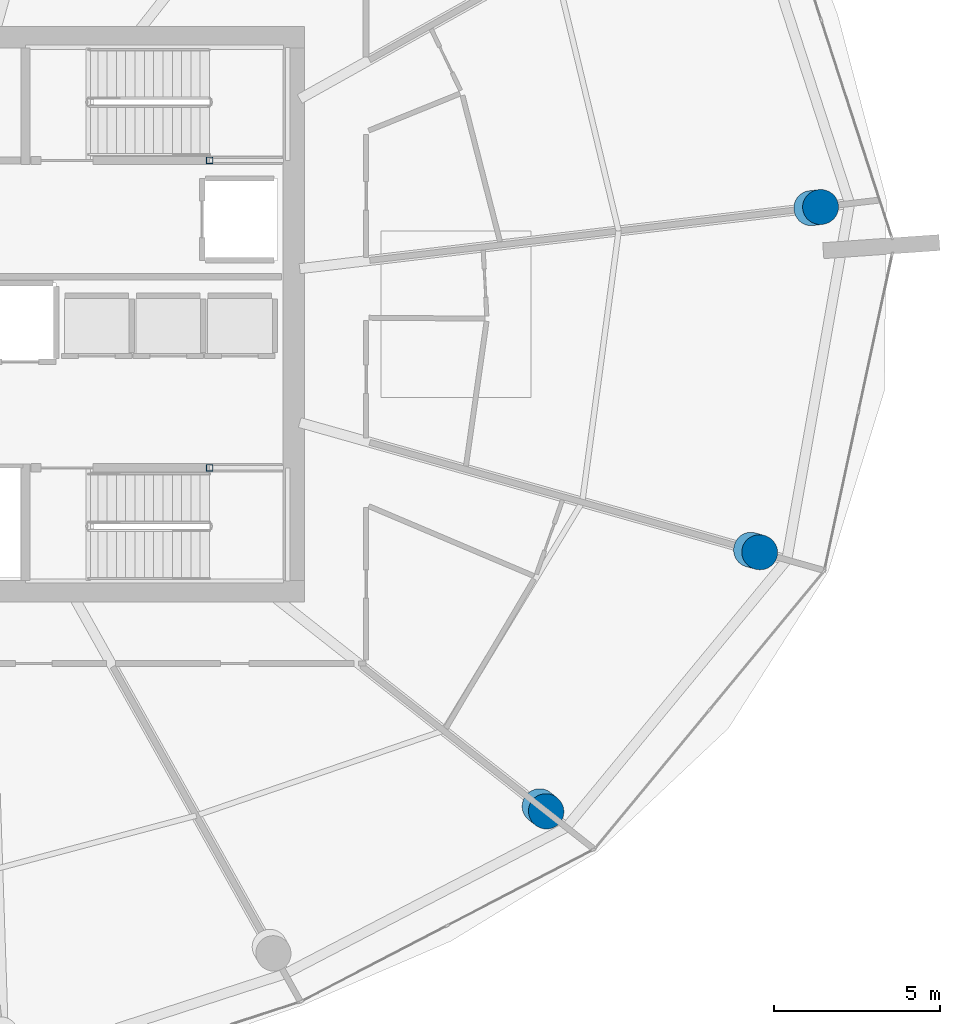
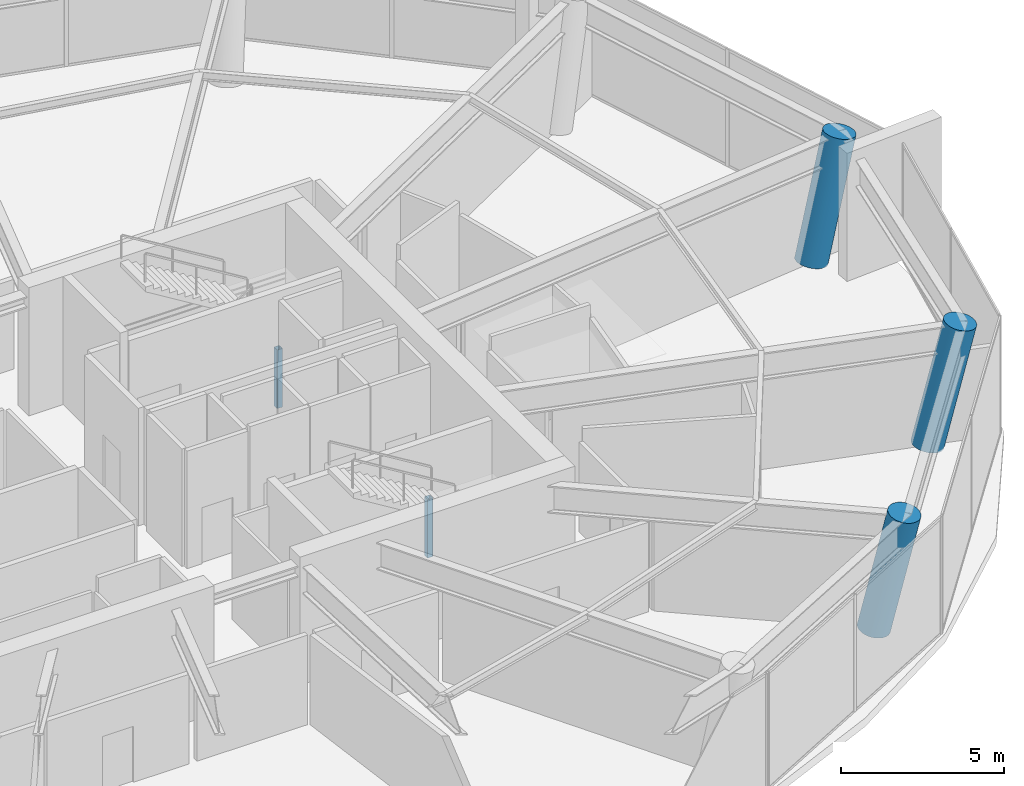
# One storey, part 3 of 22: 5 columns.
"""IFC4 building model written with IfcOpenShell, lengths in metres."""

from ifc_helpers import new_model, si_unit, direction, frame, origin, origin_2d, place, context, subcontext, project, spatial, hollow_rectangle, circle, extrude, material, material_profile, profile_set, type_object, element, save


model = new_model("IFC4")

# Units and contexts
model_context = context("Model", 3, precision=1e-05, world=origin(), true_north=direction((0.0, 1.0)))
body_context = subcontext(model_context, "Body", "Model", "MODEL_VIEW")
ifc_project = project(units=[si_unit("LENGTHUNIT", "METRE"), si_unit("AREAUNIT", "SQUARE_METRE"), si_unit("VOLUMEUNIT", "CUBIC_METRE"), si_unit("PLANEANGLEUNIT", "RADIAN"), si_unit("MASSUNIT", "GRAM", prefix="KILO")], contexts=[model_context])

# Site, building, storey
site_placement = place(None, origin())
site = spatial("IfcSite", under=ifc_project, at=site_placement, CompositionType="ELEMENT")
building_placement = place(site_placement, origin())
building = spatial("IfcBuilding", under=site, at=building_placement, Name="Kazma Halo Residences", CompositionType="ELEMENT")
storey_placement = place(building_placement, frame((0.0, 0.0, 231.89990234375)))
storey = spatial("IfcBuildingStorey", under=building, at=storey_placement, Name="L58", CompositionType="ELEMENT", Elevation=231.89990234375)

# Columns
ifc_material_1 = material(Name="Steel S355", Category="steel")
ifc_material_profile_1 = material_profile(ifc_material_1, hollow_rectangle(XDim=0.199951171875, YDim=0.199951171875, WallThickness=0.010009765625, InnerFilletRadius=0.010009765625, OuterFilletRadius=0.02001953125, at=origin_2d()), Name="SHS200x200x10")
ifc_profile_set_1 = profile_set([ifc_material_profile_1], Name="Steel S355")
column_type_1 = type_object("IfcColumnType", Name="COL-LP-SHS200", PredefinedType="COLUMN", material=ifc_profile_set_1)
for number, where, z_axis, x_axis, name in (
    (1, (56.840087890625, 46.6201171875, 0.0), (0.0, 0.0, 1.0), (1.0, 0.0, 0.0), "L58 ST-02 landing pilaster 1"),
    (2, (56.840087890625, 37.3798828125, 0.0), (0.0, 0.0, 1.0), (1.0, 0.0, 0.0), "L58 ST-03 landing pilaster 1"),
):
    element("IfcColumn", number, at=place(storey_placement, frame(where, z_axis=z_axis, x_axis=x_axis)), inside=storey, type_object=column_type_1, Name=name, PredefinedType="COLUMN", context=body_context, shape_type="SweptSolid", body=[
        extrude(hollow_rectangle(XDim=0.199951171875, YDim=0.199951171875, WallThickness=0.010009765625, InnerFilletRadius=0.010009765625, OuterFilletRadius=0.02001953125, at=origin_2d()), origin(), (0.0, 0.0, 1.0), 2.195068359375),
    ])
ifc_material_2 = material(Name="Concrete C80/95", Category="concrete")
ifc_material_profile_2 = material_profile(ifc_material_2, circle(Radius=0.52490234375, at=origin_2d()), Name="CIRC1050")
ifc_profile_set_2 = profile_set([ifc_material_profile_2], Name="Concrete C80/95")
column_type_2 = type_object("IfcColumnType", Name="COL-PERIM-1050", PredefinedType="COLUMN", material=ifc_profile_set_2)
column_1_placement = place(storey_placement, frame((66.755126953125, 27.214599609375, 0.0), z_axis=(0.16517218596, -0.130184974155, 0.977634912168), x_axis=(0.619016887192, 0.785377675625, 0.0)))
element("IfcColumn", 3, at=column_1_placement, inside=storey, type_object=column_type_2, Name="L58 perimeter ring column P14", PredefinedType="COLUMN", context=body_context, shape_type="SweptSolid", body=[
    extrude(circle(Radius=0.52490234375, at=origin_2d()), origin(), (0.0, 0.0, 1.0), 4.500732421875),
])
column_2_placement = place(storey_placement, frame((73.10546875, 34.919677734375, 0.0), z_axis=(0.2201588075, -0.062115463352, 0.973484344349), x_axis=(0.271538679248, 0.962427527491, 0.0)))
element("IfcColumn", 4, at=column_2_placement, inside=storey, type_object=column_type_2, Name="L58 perimeter ring column P15", PredefinedType="COLUMN", context=body_context, shape_type="SweptSolid", body=[
    extrude(circle(Radius=0.52490234375, at=origin_2d()), origin(), (0.0, 0.0, 1.0), 4.52001953125),
])
column_3_placement = place(storey_placement, frame((74.91552734375, 45.185791015625, 0.0), z_axis=(0.235548638365, 0.027866967056, 0.97146295406), x_axis=(-0.117487290092, 0.993074386271, 0.0)))
element("IfcColumn", 5, at=column_3_placement, inside=storey, type_object=column_type_2, Name="L58 perimeter ring column P16", PredefinedType="COLUMN", context=body_context, shape_type="SweptSolid", body=[
    extrude(circle(Radius=0.52490234375, at=origin_2d()), origin(), (0.0, 0.0, 1.0), 4.529296875),
])

save(model, "model.ifc")
